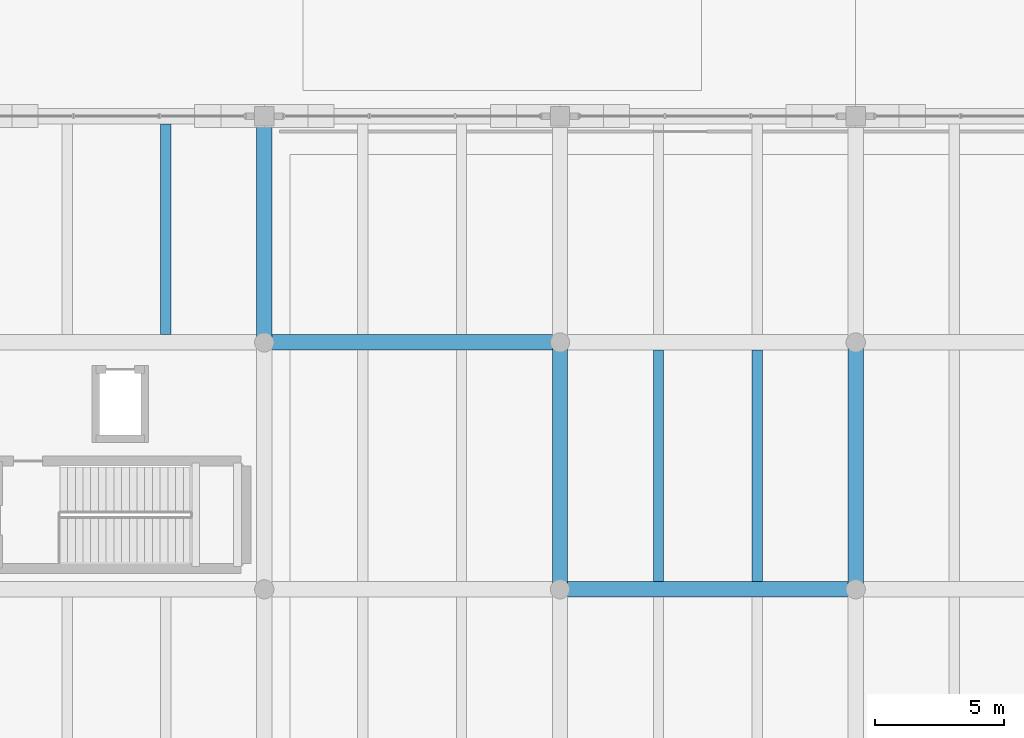
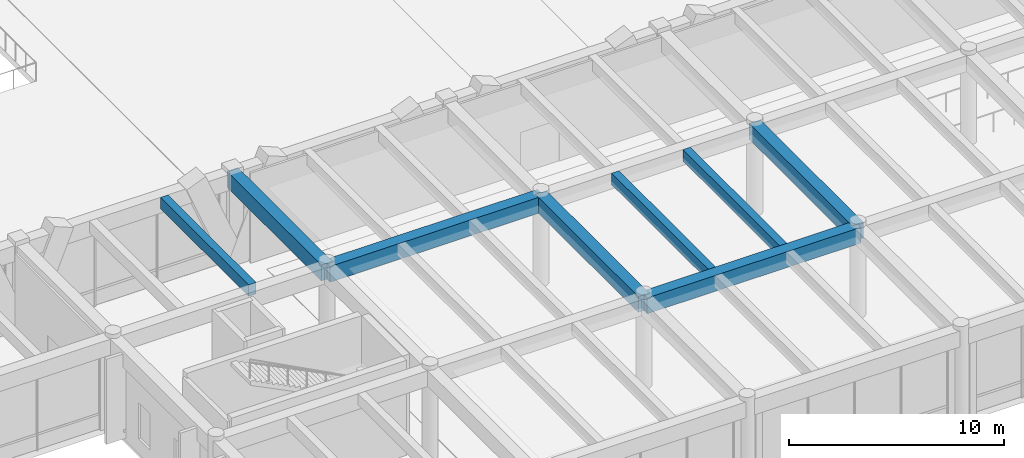
# One storey, part 30 of 148: 8 beams.
"""IFC4 building model written with IfcOpenShell, lengths in metres."""

from ifc_helpers import new_model, si_unit, direction, frame, origin, origin_2d, place, context, subcontext, project, spatial, rectangle, extrude, material, material_profile, profile_set, type_object, element, save


model = new_model("IFC4")

# Units and contexts
model_context = context("Model", 3, precision=1e-05, world=origin(), true_north=direction((0.0, 1.0)))
body_context = subcontext(model_context, "Body", "Model", "MODEL_VIEW")
ifc_project = project(units=[si_unit("LENGTHUNIT", "METRE"), si_unit("AREAUNIT", "SQUARE_METRE"), si_unit("VOLUMEUNIT", "CUBIC_METRE"), si_unit("PLANEANGLEUNIT", "RADIAN"), si_unit("MASSUNIT", "GRAM", prefix="KILO")], contexts=[model_context])

# Site, building, storey
site_placement = place(None, origin())
site = spatial("IfcSite", under=ifc_project, at=site_placement, CompositionType="ELEMENT")
building_placement = place(site_placement, origin())
building = spatial("IfcBuilding", under=site, at=building_placement, Name="Ologun Quay Terminus", CompositionType="ELEMENT")
storey_placement = place(building_placement, frame((0.0, 0.0, 8.39990234375)))
storey = spatial("IfcBuildingStorey", under=building, at=storey_placement, Name="L02", CompositionType="ELEMENT", Elevation=8.39990234375)

# Beams
ifc_material_1 = material(Name="Concrete C40/50", Category="concrete")
ifc_material_profile_1 = material_profile(ifc_material_1, rectangle(XDim=0.60009765625, YDim=0.89990234375, at=origin_2d()), Name="RC 600x900")
ifc_profile_set_1 = profile_set([ifc_material_profile_1], Name="Concrete C40/50")
beam_type_1 = type_object("IfcBeamType", Name="Station Frame Girder 600x900", PredefinedType="BEAM", material=ifc_profile_set_1)
for number, where, z_axis, x_axis, name in (
    (1, (80.5, 17.60009765625, 4.7001953125), (1.0, 0.0, 0.0), (0.0, 1.0, 0.0), "B3 Beam 8/C L02"),
    (2, (69.0, 27.199951171875, 4.7001953125), (1.0, 0.0, 0.0), (0.0, 1.0, 0.0), "B3 Beam 7/D L02"),
):
    element("IfcBeam", number, at=place(storey_placement, frame(where, z_axis=z_axis, x_axis=x_axis)), inside=storey, type_object=beam_type_1, Name=name, PredefinedType="BEAM", context=body_context, shape_type="SweptSolid", body=[
        extrude(rectangle(XDim=0.60009765625, YDim=0.89990234375, at=origin_2d()), origin(), (0.0, 0.0, 1.0), 11.5),
    ])
beam_1_placement = place(storey_placement, frame((69.0, 27.199951171875, 4.7001953125), z_axis=(0.0, 1.0, 0.0), x_axis=(-1.0, 0.0, 0.0)))
element("IfcBeam", 3, at=beam_1_placement, inside=storey, type_object=beam_type_1, Name="B3 Beam 7/D L02", PredefinedType="BEAM", context=body_context, shape_type="SweptSolid", body=[
    extrude(rectangle(XDim=0.60009765625, YDim=0.89990234375, at=origin_2d()), origin(), (0.0, 0.0, 1.0), 8.800048828125),
])
for number, where, z_axis, x_axis, name in (
    (4, (80.5, 17.60009765625, 4.7001953125), (0.0, 1.0, 0.0), (-1.0, 0.0, 0.0), "B3 Beam 8/C L02"),
    (5, (92.0, 17.60009765625, 4.7001953125), (0.0, 1.0, 0.0), (-1.0, 0.0, 0.0), "B3 Beam 9/C L02"),
):
    element("IfcBeam", number, at=place(storey_placement, frame(where, z_axis=z_axis, x_axis=x_axis)), inside=storey, type_object=beam_type_1, Name=name, PredefinedType="BEAM", context=body_context, shape_type="SweptSolid", body=[
        extrude(rectangle(XDim=0.60009765625, YDim=0.89990234375, at=origin_2d()), origin(), (0.0, 0.0, 1.0), 9.599853515625),
    ])
ifc_material_2 = material(Name="Concrete C40/50", Category="concrete")
ifc_material_profile_2 = material_profile(ifc_material_2, rectangle(XDim=0.39990234375, YDim=0.64990234375, at=origin_2d()), Name="RC 400x650")
ifc_profile_set_2 = profile_set([ifc_material_profile_2], Name="Concrete C40/50")
beam_type_2 = type_object("IfcBeamType", Name="Station Secondary Joist 400x650", PredefinedType="JOIST", material=ifc_profile_set_2)
beam_2_placement = place(storey_placement, frame((65.166748046875, 27.5, 4.8251953125), z_axis=(0.0, 1.0, 0.0), x_axis=(-1.0, 0.0, 0.0)))
element("IfcBeam", 6, at=beam_2_placement, inside=storey, type_object=beam_type_2, Name="J1 Beam 6/D L02", PredefinedType="JOIST", context=body_context, shape_type="SweptSolid", body=[
    extrude(rectangle(XDim=0.39990234375, YDim=0.64990234375, at=origin_2d()), origin(), (0.0, 0.0, 1.0), 8.199951171875),
])
for number, where, z_axis, x_axis, name in (
    (7, (84.333251953125, 17.89990234375, 4.8251953125), (0.0, 1.0, 0.0), (-1.0, 0.0, 0.0), "J1 Beam 8/C L02"),
    (8, (88.166748046875, 17.89990234375, 4.8251953125), (0.0, 1.0, 0.0), (-1.0, 0.0, 0.0), "J1 Beam 8/C L02"),
):
    element("IfcBeam", number, at=place(storey_placement, frame(where, z_axis=z_axis, x_axis=x_axis)), inside=storey, type_object=beam_type_2, Name=name, PredefinedType="JOIST", context=body_context, shape_type="SweptSolid", body=[
        extrude(rectangle(XDim=0.39990234375, YDim=0.64990234375, at=origin_2d()), origin(), (0.0, 0.0, 1.0), 9.0),
    ])

save(model, "model.ifc")
